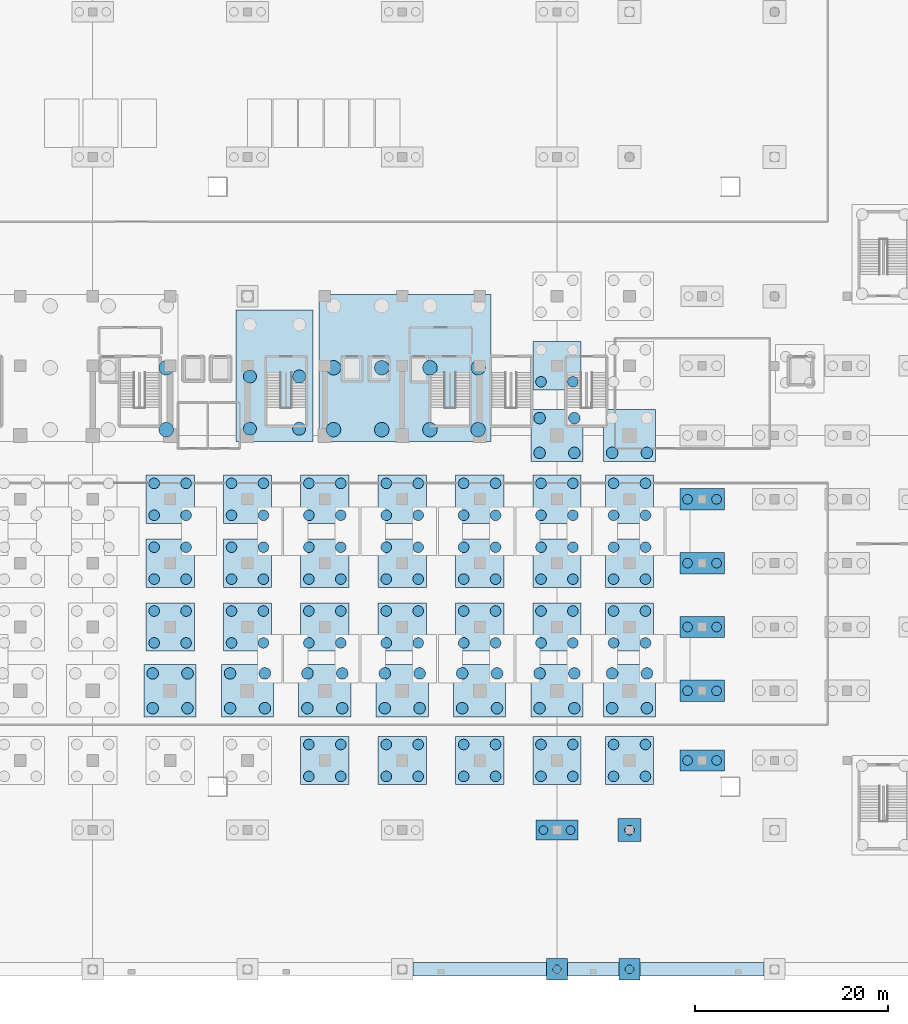
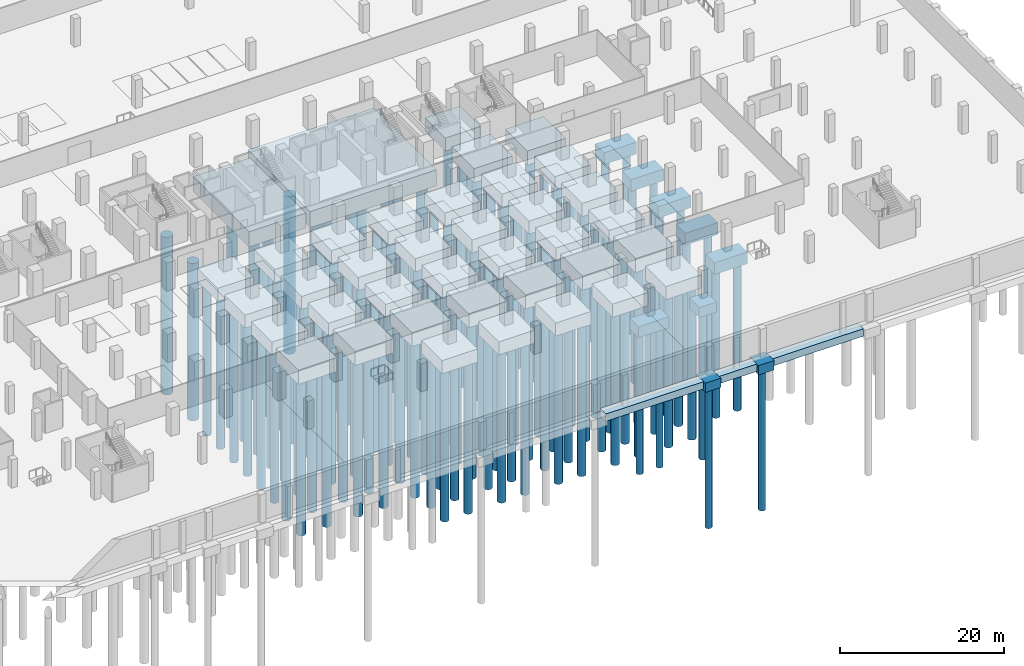
# One storey, part 2 of 26: 169 piles, 50 footings.
"""IFC4 building model written with IfcOpenShell, lengths in metres."""

from ifc_helpers import new_model, si_unit, direction, frame, origin, origin_2d, place, context, subcontext, project, spatial, rectangle, circle, extrude, material, material_profile, profile_set, type_object, element, save


model = new_model("IFC4")

# Units and contexts
model_context = context("Model", 3, precision=1e-05, world=origin(), true_north=direction((0.0, 1.0)))
body_context = subcontext(model_context, "Body", "Model", "MODEL_VIEW")
ifc_project = project(units=[si_unit("LENGTHUNIT", "METRE"), si_unit("AREAUNIT", "SQUARE_METRE"), si_unit("VOLUMEUNIT", "CUBIC_METRE"), si_unit("PLANEANGLEUNIT", "RADIAN"), si_unit("MASSUNIT", "GRAM", prefix="KILO")], contexts=[model_context])

# Site, building, storey
site_placement = place(None, origin())
site = spatial("IfcSite", under=ifc_project, at=site_placement, CompositionType="ELEMENT")
building_placement = place(site_placement, origin())
building = spatial("IfcBuilding", under=site, at=building_placement, Name="Akrevak Sports Hall", CompositionType="ELEMENT")
storey_placement = place(building_placement, frame((0.0, 0.0, -9.0)))
storey = spatial("IfcBuildingStorey", under=building, at=storey_placement, Name="B02", CompositionType="ELEMENT", Elevation=-9.0)

# Footings
ifc_material = material(Name="Concrete C40/50", Category="concrete")
footing_type_1 = type_object("IfcFootingType", Name="STR-PC-220x220x140", PredefinedType="PILE_CAP", material=ifc_material)
for number, where, z_axis, x_axis, name in (
    (1, (108.0, 0.0, -1.949951171875), (0.0, 0.0, 1.0), (1.0, 0.0, 0.0), "Pile Cap PC-06 at 15/A"),
    (2, (115.5, 0.0, -1.949951171875), (0.0, 0.0, 1.0), (1.0, 0.0, 0.0), "Pile Cap PC-06 at 16/A"),
):
    element("IfcFooting", number, at=place(storey_placement, frame(where, z_axis=z_axis, x_axis=x_axis)), inside=storey, type_object=footing_type_1, Name=name, PredefinedType="PILE_CAP", context=body_context, shape_type="SweptSolid", body=[
        extrude(rectangle(XDim=2.199951171875, YDim=2.199951171875, at=origin_2d()), origin(), (0.0, 0.0, 1.0), 1.39990234375),
    ])
footing_type_2 = type_object("IfcFootingType", Name="STR-PC-240x240x150", PredefinedType="PILE_CAP", material=ifc_material)
footing_1_placement = place(storey_placement, frame((115.5, 14.39990234375, -2.050048828125), z_axis=(0.0, 0.0, 1.0), x_axis=(1.0, 0.0, 0.0)))
element("IfcFooting", 3, at=footing_1_placement, inside=storey, type_object=footing_type_2, Name="Pile Cap PC-05 at 16/C", PredefinedType="PILE_CAP", context=body_context, shape_type="SweptSolid", body=[
    extrude(rectangle(XDim=2.39990234375, YDim=2.39990234375, at=origin_2d()), origin(), (0.0, 0.0, 1.0), 1.5),
])
footing_type_3 = type_object("IfcFootingType", Name="STR-PC-430x210x160", PredefinedType="PILE_CAP", material=ifc_material)
footing_2_placement = place(storey_placement, frame((108.0, 14.39990234375, -2.150146484375), z_axis=(0.0, 0.0, 1.0), x_axis=(1.0, 0.0, 0.0)))
element("IfcFooting", 4, at=footing_2_placement, inside=storey, type_object=footing_type_3, Name="Pile Cap PC-04 at 15/C", PredefinedType="PILE_CAP", context=body_context, shape_type="SweptSolid", body=[
    extrude(rectangle(XDim=4.300048828125, YDim=2.10009765625, at=origin_2d()), origin(), (0.0, 0.0, 1.0), 1.60009765625),
])
footing_type_4 = type_object("IfcFootingType", Name="STR-PC-460x220x175", PredefinedType="PILE_CAP", material=ifc_material)
for number, where, z_axis, x_axis, name in (
    (5, (123.0, 21.60009765625, -2.300048828125), (0.0, 0.0, 1.0), (1.0, 0.0, 0.0), "Pile Cap PC-03 at 17/D"),
    (6, (123.0, 28.800048828125, -2.300048828125), (0.0, 0.0, 1.0), (1.0, 0.0, 0.0), "Pile Cap PC-03 at 17/E"),
    (7, (123.0, 35.39990234375, -2.300048828125), (0.0, 0.0, 1.0), (1.0, 0.0, 0.0), "Pile Cap PC-03 at 17/F"),
    (8, (123.0, 42.0, -2.300048828125), (0.0, 0.0, 1.0), (1.0, 0.0, 0.0), "Pile Cap PC-03 at 17/G"),
    (9, (123.0, 48.60009765625, -2.300048828125), (0.0, 0.0, 1.0), (1.0, 0.0, 0.0), "Pile Cap PC-03 at 17/H"),
):
    element("IfcFooting", number, at=place(storey_placement, frame(where, z_axis=z_axis, x_axis=x_axis)), inside=storey, type_object=footing_type_4, Name=name, PredefinedType="PILE_CAP", context=body_context, shape_type="SweptSolid", body=[
        extrude(rectangle(XDim=4.60009765625, YDim=2.199951171875, at=origin_2d()), origin(), (0.0, 0.0, 1.0), 1.75),
    ])
footing_type_5 = type_object("IfcFootingType", Name="STR-PC-500x500x195", PredefinedType="PILE_CAP", material=ifc_material)
for number, where, z_axis, x_axis, name in (
    (10, (68.0, 35.39990234375, -2.5), (0.0, 0.0, 1.0), (1.0, 0.0, 0.0), "Pile Cap PC-02 at 10/F"),
    (11, (68.0, 42.0, -2.5), (0.0, 0.0, 1.0), (1.0, 0.0, 0.0), "Pile Cap PC-02 at 10/G"),
    (12, (68.0, 48.60009765625, -2.5), (0.0, 0.0, 1.0), (1.0, 0.0, 0.0), "Pile Cap PC-02 at 10/H"),
    (13, (76.0, 35.39990234375, -2.5), (0.0, 0.0, 1.0), (1.0, 0.0, 0.0), "Pile Cap PC-02 at 11/F"),
    (14, (76.0, 42.0, -2.5), (0.0, 0.0, 1.0), (1.0, 0.0, 0.0), "Pile Cap PC-02 at 11/G"),
    (15, (76.0, 48.60009765625, -2.5), (0.0, 0.0, 1.0), (1.0, 0.0, 0.0), "Pile Cap PC-02 at 11/H"),
    (16, (84.0, 21.60009765625, -2.5), (0.0, 0.0, 1.0), (1.0, 0.0, 0.0), "Pile Cap PC-02 at 12/D"),
    (17, (84.0, 35.39990234375, -2.5), (0.0, 0.0, 1.0), (1.0, 0.0, 0.0), "Pile Cap PC-02 at 12/F"),
    (18, (84.0, 42.0, -2.5), (0.0, 0.0, 1.0), (1.0, 0.0, 0.0), "Pile Cap PC-02 at 12/G"),
    (19, (84.0, 48.60009765625, -2.5), (0.0, 0.0, 1.0), (1.0, 0.0, 0.0), "Pile Cap PC-02 at 12/H"),
    (20, (92.0, 21.60009765625, -2.5), (0.0, 0.0, 1.0), (1.0, 0.0, 0.0), "Pile Cap PC-02 at 13/D"),
    (21, (92.0, 35.39990234375, -2.5), (0.0, 0.0, 1.0), (1.0, 0.0, 0.0), "Pile Cap PC-02 at 13/F"),
    (22, (92.0, 42.0, -2.5), (0.0, 0.0, 1.0), (1.0, 0.0, 0.0), "Pile Cap PC-02 at 13/G"),
    (23, (92.0, 48.60009765625, -2.5), (0.0, 0.0, 1.0), (1.0, 0.0, 0.0), "Pile Cap PC-02 at 13/H"),
    (24, (100.0, 21.60009765625, -2.5), (0.0, 0.0, 1.0), (1.0, 0.0, 0.0), "Pile Cap PC-02 at 14/D"),
    (25, (100.0, 35.39990234375, -2.5), (0.0, 0.0, 1.0), (1.0, 0.0, 0.0), "Pile Cap PC-02 at 14/F"),
    (26, (100.0, 42.0, -2.5), (0.0, 0.0, 1.0), (1.0, 0.0, 0.0), "Pile Cap PC-02 at 14/G"),
    (27, (100.0, 48.60009765625, -2.5), (0.0, 0.0, 1.0), (1.0, 0.0, 0.0), "Pile Cap PC-02 at 14/H"),
    (28, (108.0, 21.60009765625, -2.5), (0.0, 0.0, 1.0), (1.0, 0.0, 0.0), "Pile Cap PC-02 at 15/D"),
    (29, (108.0, 35.39990234375, -2.5), (0.0, 0.0, 1.0), (1.0, 0.0, 0.0), "Pile Cap PC-02 at 15/F"),
    (30, (108.0, 42.0, -2.5), (0.0, 0.0, 1.0), (1.0, 0.0, 0.0), "Pile Cap PC-02 at 15/G"),
    (31, (108.0, 48.60009765625, -2.5), (0.0, 0.0, 1.0), (1.0, 0.0, 0.0), "Pile Cap PC-02 at 15/H"),
    (32, (108.0, 62.39990234375, -2.5), (0.0, 0.0, 1.0), (1.0, 0.0, 0.0), "Pile Cap PC-02 at 15/J"),
    (33, (115.5, 21.60009765625, -2.5), (0.0, 0.0, 1.0), (1.0, 0.0, 0.0), "Pile Cap PC-02 at 16/D"),
    (34, (115.5, 35.39990234375, -2.5), (0.0, 0.0, 1.0), (1.0, 0.0, 0.0), "Pile Cap PC-02 at 16/F"),
    (35, (115.5, 42.0, -2.5), (0.0, 0.0, 1.0), (1.0, 0.0, 0.0), "Pile Cap PC-02 at 16/G"),
    (36, (115.5, 48.60009765625, -2.5), (0.0, 0.0, 1.0), (1.0, 0.0, 0.0), "Pile Cap PC-02 at 16/H"),
):
    element("IfcFooting", number, at=place(storey_placement, frame(where, z_axis=z_axis, x_axis=x_axis)), inside=storey, type_object=footing_type_5, Name=name, PredefinedType="PILE_CAP", context=body_context, shape_type="SweptSolid", body=[
        extrude(rectangle(XDim=5.0, YDim=5.0, at=origin_2d()), origin(), (0.0, 0.0, 1.0), 1.949951171875),
    ])
footing_type_6 = type_object("IfcFootingType", Name="STR-PC-540x540x210", PredefinedType="PILE_CAP", material=ifc_material)
for number, where, z_axis, x_axis, name in (
    (37, (68.0, 28.800048828125, -2.650146484375), (0.0, 0.0, 1.0), (1.0, 0.0, 0.0), "Pile Cap PC-01 at 10/E"),
    (38, (76.0, 28.800048828125, -2.650146484375), (0.0, 0.0, 1.0), (1.0, 0.0, 0.0), "Pile Cap PC-01 at 11/E"),
    (39, (84.0, 28.800048828125, -2.650146484375), (0.0, 0.0, 1.0), (1.0, 0.0, 0.0), "Pile Cap PC-01 at 12/E"),
    (40, (92.0, 28.800048828125, -2.650146484375), (0.0, 0.0, 1.0), (1.0, 0.0, 0.0), "Pile Cap PC-01 at 13/E"),
    (41, (100.0, 28.800048828125, -2.650146484375), (0.0, 0.0, 1.0), (1.0, 0.0, 0.0), "Pile Cap PC-01 at 14/E"),
    (42, (108.0, 28.800048828125, -2.650146484375), (0.0, 0.0, 1.0), (1.0, 0.0, 0.0), "Pile Cap PC-01 at 15/E"),
    (43, (108.0, 55.199951171875, -2.650146484375), (0.0, 0.0, 1.0), (1.0, 0.0, 0.0), "Pile Cap PC-01 at 15/I"),
    (44, (115.5, 28.800048828125, -2.650146484375), (0.0, 0.0, 1.0), (1.0, 0.0, 0.0), "Pile Cap PC-01 at 16/E"),
    (45, (115.5, 55.199951171875, -2.650146484375), (0.0, 0.0, 1.0), (1.0, 0.0, 0.0), "Pile Cap PC-01 at 16/I"),
):
    element("IfcFooting", number, at=place(storey_placement, frame(where, z_axis=z_axis, x_axis=x_axis)), inside=storey, type_object=footing_type_6, Name=name, PredefinedType="PILE_CAP", context=body_context, shape_type="SweptSolid", body=[
        extrude(rectangle(XDim=5.39990234375, YDim=5.39990234375, at=origin_2d()), origin(), (0.0, 0.0, 1.0), 2.10009765625),
    ])
footing_type_7 = type_object("IfcFootingType", Name="STR-PC-MAT-E", PredefinedType="PILE_CAP", material=ifc_material)
footing_3_placement = place(storey_placement, frame((92.300048828125, 62.199951171875, -2.949951171875), z_axis=(0.0, 0.0, 1.0), x_axis=(1.0, 0.0, 0.0)))
element("IfcFooting", 46, at=footing_3_placement, inside=storey, type_object=footing_type_7, Name="Combined Pile Cap PC-M2", PredefinedType="PILE_CAP", context=body_context, shape_type="SweptSolid", body=[
    extrude(rectangle(XDim=17.800048828125, YDim=15.199951171875, at=origin_2d()), origin(), (0.0, 0.0, 1.0), 2.39990234375),
])
footing_type_8 = type_object("IfcFootingType", Name="STR-PC-MAT-N", PredefinedType="PILE_CAP", material=ifc_material)
footing_4_placement = place(storey_placement, frame((78.800048828125, 61.39990234375, -2.800048828125), z_axis=(0.0, 0.0, 1.0), x_axis=(1.0, 0.0, 0.0)))
element("IfcFooting", 47, at=footing_4_placement, inside=storey, type_object=footing_type_8, Name="Combined Pile Cap PC-M3", PredefinedType="PILE_CAP", context=body_context, shape_type="SweptSolid", body=[
    extrude(rectangle(XDim=8.0, YDim=13.60009765625, at=origin_2d()), origin(), (0.0, 0.0, 1.0), 2.25),
])

# Piles
ifc_material_profile_1 = material_profile(ifc_material, circle(Radius=0.5, at=origin_2d()), Name="BORED PILE D1000", Category="concrete")
ifc_profile_set_1 = profile_set([ifc_material_profile_1], Name="Concrete C40/50")
pile_type_1 = type_object("IfcPileType", Name="STR-PILE-D1000", PredefinedType="BORED", material=ifc_profile_set_1)
for number, where, z_axis, x_axis, name in (
    (48, (115.5, 14.39990234375, -2.050048828125), (0.0, 0.0, -1.0), (1.0, 0.0, 0.0), "Bored Pile 16/C-1"),
    (49, (121.5, 21.60009765625, -2.300048828125), (0.0, 0.0, -1.0), (1.0, 0.0, 0.0), "Bored Pile 17/D-1"),
    (50, (124.5, 21.60009765625, -2.300048828125), (0.0, 0.0, -1.0), (1.0, 0.0, 0.0), "Bored Pile 17/D-2"),
    (51, (121.5, 28.800048828125, -2.300048828125), (0.0, 0.0, -1.0), (1.0, 0.0, 0.0), "Bored Pile 17/E-1"),
    (52, (124.5, 28.800048828125, -2.300048828125), (0.0, 0.0, -1.0), (1.0, 0.0, 0.0), "Bored Pile 17/E-2"),
    (53, (121.5, 35.39990234375, -2.300048828125), (0.0, 0.0, -1.0), (1.0, 0.0, 0.0), "Bored Pile 17/F-1"),
    (54, (124.5, 35.39990234375, -2.300048828125), (0.0, 0.0, -1.0), (1.0, 0.0, 0.0), "Bored Pile 17/F-2"),
    (55, (121.5, 42.0, -2.300048828125), (0.0, 0.0, -1.0), (1.0, 0.0, 0.0), "Bored Pile 17/G-1"),
    (56, (124.5, 42.0, -2.300048828125), (0.0, 0.0, -1.0), (1.0, 0.0, 0.0), "Bored Pile 17/G-2"),
    (57, (121.5, 48.60009765625, -2.300048828125), (0.0, 0.0, -1.0), (1.0, 0.0, 0.0), "Bored Pile 17/H-1"),
    (58, (124.5, 48.60009765625, -2.300048828125), (0.0, 0.0, -1.0), (1.0, 0.0, 0.0), "Bored Pile 17/H-2"),
):
    element("IfcPile", number, at=place(storey_placement, frame(where, z_axis=z_axis, x_axis=x_axis)), inside=storey, type_object=pile_type_1, Name=name, PredefinedType="BORED", context=body_context, shape_type="SweptSolid", body=[
        extrude(circle(Radius=0.5, at=origin_2d()), origin(), (0.0, 0.0, 1.0), 22.0),
    ])
ifc_material_profile_2 = material_profile(ifc_material, circle(Radius=0.550048828125, at=origin_2d()), Name="BORED PILE D1100", Category="concrete")
ifc_profile_set_2 = profile_set([ifc_material_profile_2], Name="Concrete C40/50")
pile_type_2 = type_object("IfcPileType", Name="STR-PILE-D1100", PredefinedType="BORED", material=ifc_profile_set_2)
for number, where, z_axis, x_axis, name in (
    (59, (66.35009765625, 33.75, -2.5), (0.0, 0.0, -1.0), (1.0, 0.0, 0.0), "Bored Pile 10/F-1"),
    (60, (69.64990234375, 33.75, -2.5), (0.0, 0.0, -1.0), (1.0, 0.0, 0.0), "Bored Pile 10/F-2"),
    (61, (66.35009765625, 37.050048828125, -2.5), (0.0, 0.0, -1.0), (1.0, 0.0, 0.0), "Bored Pile 10/F-3"),
    (62, (69.64990234375, 37.050048828125, -2.5), (0.0, 0.0, -1.0), (1.0, 0.0, 0.0), "Bored Pile 10/F-4"),
    (63, (66.35009765625, 40.35009765625, -2.5), (0.0, 0.0, -1.0), (1.0, 0.0, 0.0), "Bored Pile 10/G-1"),
    (64, (69.64990234375, 40.35009765625, -2.5), (0.0, 0.0, -1.0), (1.0, 0.0, 0.0), "Bored Pile 10/G-2"),
    (65, (66.35009765625, 43.64990234375, -2.5), (0.0, 0.0, -1.0), (1.0, 0.0, 0.0), "Bored Pile 10/G-3"),
    (66, (69.64990234375, 43.64990234375, -2.5), (0.0, 0.0, -1.0), (1.0, 0.0, 0.0), "Bored Pile 10/G-4"),
    (67, (66.35009765625, 46.949951171875, -2.5), (0.0, 0.0, -1.0), (1.0, 0.0, 0.0), "Bored Pile 10/H-1"),
    (68, (69.64990234375, 46.949951171875, -2.5), (0.0, 0.0, -1.0), (1.0, 0.0, 0.0), "Bored Pile 10/H-2"),
    (69, (66.35009765625, 50.25, -2.5), (0.0, 0.0, -1.0), (1.0, 0.0, 0.0), "Bored Pile 10/H-3"),
    (70, (69.64990234375, 50.25, -2.5), (0.0, 0.0, -1.0), (1.0, 0.0, 0.0), "Bored Pile 10/H-4"),
    (71, (74.35009765625, 33.75, -2.5), (0.0, 0.0, -1.0), (1.0, 0.0, 0.0), "Bored Pile 11/F-1"),
    (72, (77.64990234375, 33.75, -2.5), (0.0, 0.0, -1.0), (1.0, 0.0, 0.0), "Bored Pile 11/F-2"),
    (73, (74.35009765625, 37.050048828125, -2.5), (0.0, 0.0, -1.0), (1.0, 0.0, 0.0), "Bored Pile 11/F-3"),
    (74, (77.64990234375, 37.050048828125, -2.5), (0.0, 0.0, -1.0), (1.0, 0.0, 0.0), "Bored Pile 11/F-4"),
    (75, (74.35009765625, 40.35009765625, -2.5), (0.0, 0.0, -1.0), (1.0, 0.0, 0.0), "Bored Pile 11/G-1"),
    (76, (77.64990234375, 40.35009765625, -2.5), (0.0, 0.0, -1.0), (1.0, 0.0, 0.0), "Bored Pile 11/G-2"),
    (77, (74.35009765625, 43.64990234375, -2.5), (0.0, 0.0, -1.0), (1.0, 0.0, 0.0), "Bored Pile 11/G-3"),
    (78, (77.64990234375, 43.64990234375, -2.5), (0.0, 0.0, -1.0), (1.0, 0.0, 0.0), "Bored Pile 11/G-4"),
    (79, (74.35009765625, 46.949951171875, -2.5), (0.0, 0.0, -1.0), (1.0, 0.0, 0.0), "Bored Pile 11/H-1"),
    (80, (77.64990234375, 46.949951171875, -2.5), (0.0, 0.0, -1.0), (1.0, 0.0, 0.0), "Bored Pile 11/H-2"),
    (81, (74.35009765625, 50.25, -2.5), (0.0, 0.0, -1.0), (1.0, 0.0, 0.0), "Bored Pile 11/H-3"),
    (82, (77.64990234375, 50.25, -2.5), (0.0, 0.0, -1.0), (1.0, 0.0, 0.0), "Bored Pile 11/H-4"),
    (83, (82.35009765625, 19.949951171875, -2.5), (0.0, 0.0, -1.0), (1.0, 0.0, 0.0), "Bored Pile 12/D-1"),
    (84, (85.64990234375, 19.949951171875, -2.5), (0.0, 0.0, -1.0), (1.0, 0.0, 0.0), "Bored Pile 12/D-2"),
    (85, (82.35009765625, 23.25, -2.5), (0.0, 0.0, -1.0), (1.0, 0.0, 0.0), "Bored Pile 12/D-3"),
    (86, (85.64990234375, 23.25, -2.5), (0.0, 0.0, -1.0), (1.0, 0.0, 0.0), "Bored Pile 12/D-4"),
    (87, (82.35009765625, 33.75, -2.5), (0.0, 0.0, -1.0), (1.0, 0.0, 0.0), "Bored Pile 12/F-1"),
    (88, (85.64990234375, 33.75, -2.5), (0.0, 0.0, -1.0), (1.0, 0.0, 0.0), "Bored Pile 12/F-2"),
    (89, (82.35009765625, 37.050048828125, -2.5), (0.0, 0.0, -1.0), (1.0, 0.0, 0.0), "Bored Pile 12/F-3"),
    (90, (85.64990234375, 37.050048828125, -2.5), (0.0, 0.0, -1.0), (1.0, 0.0, 0.0), "Bored Pile 12/F-4"),
    (91, (82.35009765625, 40.35009765625, -2.5), (0.0, 0.0, -1.0), (1.0, 0.0, 0.0), "Bored Pile 12/G-1"),
    (92, (85.64990234375, 40.35009765625, -2.5), (0.0, 0.0, -1.0), (1.0, 0.0, 0.0), "Bored Pile 12/G-2"),
    (93, (82.35009765625, 43.64990234375, -2.5), (0.0, 0.0, -1.0), (1.0, 0.0, 0.0), "Bored Pile 12/G-3"),
    (94, (85.64990234375, 43.64990234375, -2.5), (0.0, 0.0, -1.0), (1.0, 0.0, 0.0), "Bored Pile 12/G-4"),
    (95, (82.35009765625, 46.949951171875, -2.5), (0.0, 0.0, -1.0), (1.0, 0.0, 0.0), "Bored Pile 12/H-1"),
    (96, (85.64990234375, 46.949951171875, -2.5), (0.0, 0.0, -1.0), (1.0, 0.0, 0.0), "Bored Pile 12/H-2"),
    (97, (82.35009765625, 50.25, -2.5), (0.0, 0.0, -1.0), (1.0, 0.0, 0.0), "Bored Pile 12/H-3"),
    (98, (85.64990234375, 50.25, -2.5), (0.0, 0.0, -1.0), (1.0, 0.0, 0.0), "Bored Pile 12/H-4"),
    (99, (90.35009765625, 19.949951171875, -2.5), (0.0, 0.0, -1.0), (1.0, 0.0, 0.0), "Bored Pile 13/D-1"),
    (100, (93.64990234375, 19.949951171875, -2.5), (0.0, 0.0, -1.0), (1.0, 0.0, 0.0), "Bored Pile 13/D-2"),
    (101, (90.35009765625, 23.25, -2.5), (0.0, 0.0, -1.0), (1.0, 0.0, 0.0), "Bored Pile 13/D-3"),
    (102, (93.64990234375, 23.25, -2.5), (0.0, 0.0, -1.0), (1.0, 0.0, 0.0), "Bored Pile 13/D-4"),
    (103, (90.35009765625, 33.75, -2.5), (0.0, 0.0, -1.0), (1.0, 0.0, 0.0), "Bored Pile 13/F-1"),
    (104, (93.64990234375, 33.75, -2.5), (0.0, 0.0, -1.0), (1.0, 0.0, 0.0), "Bored Pile 13/F-2"),
    (105, (90.35009765625, 37.050048828125, -2.5), (0.0, 0.0, -1.0), (1.0, 0.0, 0.0), "Bored Pile 13/F-3"),
    (106, (93.64990234375, 37.050048828125, -2.5), (0.0, 0.0, -1.0), (1.0, 0.0, 0.0), "Bored Pile 13/F-4"),
    (107, (90.35009765625, 40.35009765625, -2.5), (0.0, 0.0, -1.0), (1.0, 0.0, 0.0), "Bored Pile 13/G-1"),
    (108, (93.64990234375, 40.35009765625, -2.5), (0.0, 0.0, -1.0), (1.0, 0.0, 0.0), "Bored Pile 13/G-2"),
    (109, (90.35009765625, 43.64990234375, -2.5), (0.0, 0.0, -1.0), (1.0, 0.0, 0.0), "Bored Pile 13/G-3"),
    (110, (93.64990234375, 43.64990234375, -2.5), (0.0, 0.0, -1.0), (1.0, 0.0, 0.0), "Bored Pile 13/G-4"),
    (111, (90.35009765625, 46.949951171875, -2.5), (0.0, 0.0, -1.0), (1.0, 0.0, 0.0), "Bored Pile 13/H-1"),
    (112, (93.64990234375, 46.949951171875, -2.5), (0.0, 0.0, -1.0), (1.0, 0.0, 0.0), "Bored Pile 13/H-2"),
    (113, (90.35009765625, 50.25, -2.5), (0.0, 0.0, -1.0), (1.0, 0.0, 0.0), "Bored Pile 13/H-3"),
    (114, (93.64990234375, 50.25, -2.5), (0.0, 0.0, -1.0), (1.0, 0.0, 0.0), "Bored Pile 13/H-4"),
    (115, (98.35009765625, 19.949951171875, -2.5), (0.0, 0.0, -1.0), (1.0, 0.0, 0.0), "Bored Pile 14/D-1"),
    (116, (101.64990234375, 19.949951171875, -2.5), (0.0, 0.0, -1.0), (1.0, 0.0, 0.0), "Bored Pile 14/D-2"),
    (117, (98.35009765625, 23.25, -2.5), (0.0, 0.0, -1.0), (1.0, 0.0, 0.0), "Bored Pile 14/D-3"),
    (118, (101.64990234375, 23.25, -2.5), (0.0, 0.0, -1.0), (1.0, 0.0, 0.0), "Bored Pile 14/D-4"),
    (119, (98.35009765625, 33.75, -2.5), (0.0, 0.0, -1.0), (1.0, 0.0, 0.0), "Bored Pile 14/F-1"),
    (120, (101.64990234375, 33.75, -2.5), (0.0, 0.0, -1.0), (1.0, 0.0, 0.0), "Bored Pile 14/F-2"),
    (121, (98.35009765625, 37.050048828125, -2.5), (0.0, 0.0, -1.0), (1.0, 0.0, 0.0), "Bored Pile 14/F-3"),
    (122, (101.64990234375, 37.050048828125, -2.5), (0.0, 0.0, -1.0), (1.0, 0.0, 0.0), "Bored Pile 14/F-4"),
    (123, (98.35009765625, 40.35009765625, -2.5), (0.0, 0.0, -1.0), (1.0, 0.0, 0.0), "Bored Pile 14/G-1"),
    (124, (101.64990234375, 40.35009765625, -2.5), (0.0, 0.0, -1.0), (1.0, 0.0, 0.0), "Bored Pile 14/G-2"),
    (125, (98.35009765625, 43.64990234375, -2.5), (0.0, 0.0, -1.0), (1.0, 0.0, 0.0), "Bored Pile 14/G-3"),
    (126, (101.64990234375, 43.64990234375, -2.5), (0.0, 0.0, -1.0), (1.0, 0.0, 0.0), "Bored Pile 14/G-4"),
    (127, (98.35009765625, 46.949951171875, -2.5), (0.0, 0.0, -1.0), (1.0, 0.0, 0.0), "Bored Pile 14/H-1"),
    (128, (101.64990234375, 46.949951171875, -2.5), (0.0, 0.0, -1.0), (1.0, 0.0, 0.0), "Bored Pile 14/H-2"),
    (129, (98.35009765625, 50.25, -2.5), (0.0, 0.0, -1.0), (1.0, 0.0, 0.0), "Bored Pile 14/H-3"),
    (130, (101.64990234375, 50.25, -2.5), (0.0, 0.0, -1.0), (1.0, 0.0, 0.0), "Bored Pile 14/H-4"),
    (131, (106.35009765625, 19.949951171875, -2.5), (0.0, 0.0, -1.0), (1.0, 0.0, 0.0), "Bored Pile 15/D-1"),
    (132, (109.64990234375, 19.949951171875, -2.5), (0.0, 0.0, -1.0), (1.0, 0.0, 0.0), "Bored Pile 15/D-2"),
    (133, (106.35009765625, 23.25, -2.5), (0.0, 0.0, -1.0), (1.0, 0.0, 0.0), "Bored Pile 15/D-3"),
    (134, (109.64990234375, 23.25, -2.5), (0.0, 0.0, -1.0), (1.0, 0.0, 0.0), "Bored Pile 15/D-4"),
    (135, (106.35009765625, 33.75, -2.5), (0.0, 0.0, -1.0), (1.0, 0.0, 0.0), "Bored Pile 15/F-1"),
    (136, (109.64990234375, 33.75, -2.5), (0.0, 0.0, -1.0), (1.0, 0.0, 0.0), "Bored Pile 15/F-2"),
    (137, (106.35009765625, 37.050048828125, -2.5), (0.0, 0.0, -1.0), (1.0, 0.0, 0.0), "Bored Pile 15/F-3"),
    (138, (109.64990234375, 37.050048828125, -2.5), (0.0, 0.0, -1.0), (1.0, 0.0, 0.0), "Bored Pile 15/F-4"),
    (139, (106.35009765625, 40.35009765625, -2.5), (0.0, 0.0, -1.0), (1.0, 0.0, 0.0), "Bored Pile 15/G-1"),
    (140, (109.64990234375, 40.35009765625, -2.5), (0.0, 0.0, -1.0), (1.0, 0.0, 0.0), "Bored Pile 15/G-2"),
    (141, (106.35009765625, 43.64990234375, -2.5), (0.0, 0.0, -1.0), (1.0, 0.0, 0.0), "Bored Pile 15/G-3"),
    (142, (109.64990234375, 43.64990234375, -2.5), (0.0, 0.0, -1.0), (1.0, 0.0, 0.0), "Bored Pile 15/G-4"),
    (143, (106.35009765625, 46.949951171875, -2.5), (0.0, 0.0, -1.0), (1.0, 0.0, 0.0), "Bored Pile 15/H-1"),
    (144, (109.64990234375, 46.949951171875, -2.5), (0.0, 0.0, -1.0), (1.0, 0.0, 0.0), "Bored Pile 15/H-2"),
    (145, (106.35009765625, 50.25, -2.5), (0.0, 0.0, -1.0), (1.0, 0.0, 0.0), "Bored Pile 15/H-3"),
    (146, (109.64990234375, 50.25, -2.5), (0.0, 0.0, -1.0), (1.0, 0.0, 0.0), "Bored Pile 15/H-4"),
    (147, (106.35009765625, 60.75, -2.5), (0.0, 0.0, -1.0), (1.0, 0.0, 0.0), "Bored Pile 15/J-1"),
    (148, (109.64990234375, 60.75, -2.5), (0.0, 0.0, -1.0), (1.0, 0.0, 0.0), "Bored Pile 15/J-2"),
    (149, (113.85009765625, 19.949951171875, -2.5), (0.0, 0.0, -1.0), (1.0, 0.0, 0.0), "Bored Pile 16/D-1"),
    (150, (117.14990234375, 19.949951171875, -2.5), (0.0, 0.0, -1.0), (1.0, 0.0, 0.0), "Bored Pile 16/D-2"),
    (151, (113.85009765625, 23.25, -2.5), (0.0, 0.0, -1.0), (1.0, 0.0, 0.0), "Bored Pile 16/D-3"),
    (152, (117.14990234375, 23.25, -2.5), (0.0, 0.0, -1.0), (1.0, 0.0, 0.0), "Bored Pile 16/D-4"),
    (153, (113.85009765625, 33.75, -2.5), (0.0, 0.0, -1.0), (1.0, 0.0, 0.0), "Bored Pile 16/F-1"),
    (154, (117.14990234375, 33.75, -2.5), (0.0, 0.0, -1.0), (1.0, 0.0, 0.0), "Bored Pile 16/F-2"),
    (155, (113.85009765625, 37.050048828125, -2.5), (0.0, 0.0, -1.0), (1.0, 0.0, 0.0), "Bored Pile 16/F-3"),
    (156, (117.14990234375, 37.050048828125, -2.5), (0.0, 0.0, -1.0), (1.0, 0.0, 0.0), "Bored Pile 16/F-4"),
    (157, (113.85009765625, 40.35009765625, -2.5), (0.0, 0.0, -1.0), (1.0, 0.0, 0.0), "Bored Pile 16/G-1"),
    (158, (117.14990234375, 40.35009765625, -2.5), (0.0, 0.0, -1.0), (1.0, 0.0, 0.0), "Bored Pile 16/G-2"),
    (159, (113.85009765625, 43.64990234375, -2.5), (0.0, 0.0, -1.0), (1.0, 0.0, 0.0), "Bored Pile 16/G-3"),
    (160, (117.14990234375, 43.64990234375, -2.5), (0.0, 0.0, -1.0), (1.0, 0.0, 0.0), "Bored Pile 16/G-4"),
    (161, (113.85009765625, 46.949951171875, -2.5), (0.0, 0.0, -1.0), (1.0, 0.0, 0.0), "Bored Pile 16/H-1"),
    (162, (117.14990234375, 46.949951171875, -2.5), (0.0, 0.0, -1.0), (1.0, 0.0, 0.0), "Bored Pile 16/H-2"),
    (163, (113.85009765625, 50.25, -2.5), (0.0, 0.0, -1.0), (1.0, 0.0, 0.0), "Bored Pile 16/H-3"),
    (164, (117.14990234375, 50.25, -2.5), (0.0, 0.0, -1.0), (1.0, 0.0, 0.0), "Bored Pile 16/H-4"),
):
    element("IfcPile", number, at=place(storey_placement, frame(where, z_axis=z_axis, x_axis=x_axis)), inside=storey, type_object=pile_type_2, Name=name, PredefinedType="BORED", context=body_context, shape_type="SweptSolid", body=[
        extrude(circle(Radius=0.550048828125, at=origin_2d()), origin(), (0.0, 0.0, 1.0), 22.5),
    ])
ifc_material_profile_3 = material_profile(ifc_material, circle(Radius=0.60009765625, at=origin_2d()), Name="BORED PILE D1200", Category="concrete")
ifc_profile_set_3 = profile_set([ifc_material_profile_3], Name="Concrete C40/50")
pile_type_3 = type_object("IfcPileType", Name="STR-PILE-D1200", PredefinedType="BORED", material=ifc_profile_set_3)
for number, where, z_axis, x_axis, name in (
    (165, (66.199951171875, 27.0, -2.64990234375), (0.0, 0.0, -1.0), (1.0, 0.0, 0.0), "Bored Pile 10/E-1"),
    (166, (69.800048828125, 27.0, -2.64990234375), (0.0, 0.0, -1.0), (1.0, 0.0, 0.0), "Bored Pile 10/E-2"),
    (167, (66.199951171875, 30.60009765625, -2.64990234375), (0.0, 0.0, -1.0), (1.0, 0.0, 0.0), "Bored Pile 10/E-3"),
    (168, (69.800048828125, 30.60009765625, -2.64990234375), (0.0, 0.0, -1.0), (1.0, 0.0, 0.0), "Bored Pile 10/E-4"),
    (169, (74.199951171875, 27.0, -2.64990234375), (0.0, 0.0, -1.0), (1.0, 0.0, 0.0), "Bored Pile 11/E-1"),
    (170, (77.800048828125, 27.0, -2.64990234375), (0.0, 0.0, -1.0), (1.0, 0.0, 0.0), "Bored Pile 11/E-2"),
    (171, (74.199951171875, 30.60009765625, -2.64990234375), (0.0, 0.0, -1.0), (1.0, 0.0, 0.0), "Bored Pile 11/E-3"),
    (172, (77.800048828125, 30.60009765625, -2.64990234375), (0.0, 0.0, -1.0), (1.0, 0.0, 0.0), "Bored Pile 11/E-4"),
    (173, (82.199951171875, 27.0, -2.64990234375), (0.0, 0.0, -1.0), (1.0, 0.0, 0.0), "Bored Pile 12/E-1"),
    (174, (85.800048828125, 27.0, -2.64990234375), (0.0, 0.0, -1.0), (1.0, 0.0, 0.0), "Bored Pile 12/E-2"),
    (175, (82.199951171875, 30.60009765625, -2.64990234375), (0.0, 0.0, -1.0), (1.0, 0.0, 0.0), "Bored Pile 12/E-3"),
    (176, (85.800048828125, 30.60009765625, -2.64990234375), (0.0, 0.0, -1.0), (1.0, 0.0, 0.0), "Bored Pile 12/E-4"),
    (177, (90.199951171875, 27.0, -2.64990234375), (0.0, 0.0, -1.0), (1.0, 0.0, 0.0), "Bored Pile 13/E-1"),
    (178, (93.800048828125, 27.0, -2.64990234375), (0.0, 0.0, -1.0), (1.0, 0.0, 0.0), "Bored Pile 13/E-2"),
    (179, (90.199951171875, 30.60009765625, -2.64990234375), (0.0, 0.0, -1.0), (1.0, 0.0, 0.0), "Bored Pile 13/E-3"),
    (180, (93.800048828125, 30.60009765625, -2.64990234375), (0.0, 0.0, -1.0), (1.0, 0.0, 0.0), "Bored Pile 13/E-4"),
    (181, (98.199951171875, 27.0, -2.64990234375), (0.0, 0.0, -1.0), (1.0, 0.0, 0.0), "Bored Pile 14/E-1"),
    (182, (101.800048828125, 27.0, -2.64990234375), (0.0, 0.0, -1.0), (1.0, 0.0, 0.0), "Bored Pile 14/E-2"),
    (183, (98.199951171875, 30.60009765625, -2.64990234375), (0.0, 0.0, -1.0), (1.0, 0.0, 0.0), "Bored Pile 14/E-3"),
    (184, (101.800048828125, 30.60009765625, -2.64990234375), (0.0, 0.0, -1.0), (1.0, 0.0, 0.0), "Bored Pile 14/E-4"),
    (185, (106.199951171875, 27.0, -2.64990234375), (0.0, 0.0, -1.0), (1.0, 0.0, 0.0), "Bored Pile 15/E-1"),
    (186, (109.800048828125, 27.0, -2.64990234375), (0.0, 0.0, -1.0), (1.0, 0.0, 0.0), "Bored Pile 15/E-2"),
    (187, (106.199951171875, 30.60009765625, -2.64990234375), (0.0, 0.0, -1.0), (1.0, 0.0, 0.0), "Bored Pile 15/E-3"),
    (188, (109.800048828125, 30.60009765625, -2.64990234375), (0.0, 0.0, -1.0), (1.0, 0.0, 0.0), "Bored Pile 15/E-4"),
    (189, (106.199951171875, 53.39990234375, -2.64990234375), (0.0, 0.0, -1.0), (1.0, 0.0, 0.0), "Bored Pile 15/I-1"),
    (190, (109.800048828125, 53.39990234375, -2.64990234375), (0.0, 0.0, -1.0), (1.0, 0.0, 0.0), "Bored Pile 15/I-2"),
    (191, (106.199951171875, 57.0, -2.64990234375), (0.0, 0.0, -1.0), (1.0, 0.0, 0.0), "Bored Pile 15/I-3"),
    (192, (109.800048828125, 57.0, -2.64990234375), (0.0, 0.0, -1.0), (1.0, 0.0, 0.0), "Bored Pile 15/I-4"),
    (193, (113.699951171875, 27.0, -2.64990234375), (0.0, 0.0, -1.0), (1.0, 0.0, 0.0), "Bored Pile 16/E-1"),
    (194, (117.300048828125, 27.0, -2.64990234375), (0.0, 0.0, -1.0), (1.0, 0.0, 0.0), "Bored Pile 16/E-2"),
    (195, (113.699951171875, 30.60009765625, -2.64990234375), (0.0, 0.0, -1.0), (1.0, 0.0, 0.0), "Bored Pile 16/E-3"),
    (196, (117.300048828125, 30.60009765625, -2.64990234375), (0.0, 0.0, -1.0), (1.0, 0.0, 0.0), "Bored Pile 16/E-4"),
    (197, (113.699951171875, 53.39990234375, -2.64990234375), (0.0, 0.0, -1.0), (1.0, 0.0, 0.0), "Bored Pile 16/I-1"),
    (198, (117.300048828125, 53.39990234375, -2.64990234375), (0.0, 0.0, -1.0), (1.0, 0.0, 0.0), "Bored Pile 16/I-2"),
):
    element("IfcPile", number, at=place(storey_placement, frame(where, z_axis=z_axis, x_axis=x_axis)), inside=storey, type_object=pile_type_3, Name=name, PredefinedType="BORED", context=body_context, shape_type="SweptSolid", body=[
        extrude(circle(Radius=0.60009765625, at=origin_2d()), origin(), (0.0, 0.0, 1.0), 23.0),
    ])
ifc_material_profile_4 = material_profile(ifc_material, circle(Radius=0.675048828125, at=origin_2d()), Name="BORED PILE D1350", Category="concrete")
ifc_profile_set_4 = profile_set([ifc_material_profile_4], Name="Concrete C40/50")
pile_type_4 = type_object("IfcPileType", Name="STR-PILE-D1350", PredefinedType="BORED", material=ifc_profile_set_4)
for number, where, z_axis, x_axis, name in (
    (199, (76.25, 55.89990234375, -2.800048828125), (0.0, 0.0, -1.0), (1.0, 0.0, 0.0), "Bored Pile PC-M3-11"),
    (200, (76.25, 61.300048828125, -2.800048828125), (0.0, 0.0, -1.0), (1.0, 0.0, 0.0), "Bored Pile PC-M3-12"),
    (201, (81.35009765625, 55.89990234375, -2.800048828125), (0.0, 0.0, -1.0), (1.0, 0.0, 0.0), "Bored Pile PC-M3-21"),
    (202, (81.35009765625, 61.300048828125, -2.800048828125), (0.0, 0.0, -1.0), (1.0, 0.0, 0.0), "Bored Pile PC-M3-22"),
):
    element("IfcPile", number, at=place(storey_placement, frame(where, z_axis=z_axis, x_axis=x_axis)), inside=storey, type_object=pile_type_4, Name=name, PredefinedType="BORED", context=body_context, shape_type="SweptSolid", body=[
        extrude(circle(Radius=0.675048828125, at=origin_2d()), origin(), (0.0, 0.0, 1.0), 23.60009765625),
    ])
ifc_material_profile_5 = material_profile(ifc_material, circle(Radius=0.75, at=origin_2d()), Name="BORED PILE D1500", Category="concrete")
ifc_profile_set_5 = profile_set([ifc_material_profile_5], Name="Concrete C40/50")
pile_type_5 = type_object("IfcPileType", Name="STR-PILE-D1500", PredefinedType="BORED", material=ifc_profile_set_5)
for number, where, z_axis, x_axis, name in (
    (203, (67.60009765625, 55.800048828125, -2.949951171875), (0.0, 0.0, -1.0), (1.0, 0.0, 0.0), "Bored Pile PC-M1-61"),
    (204, (67.60009765625, 62.199951171875, -2.949951171875), (0.0, 0.0, -1.0), (1.0, 0.0, 0.0), "Bored Pile PC-M1-62"),
    (205, (84.89990234375, 55.800048828125, -2.949951171875), (0.0, 0.0, -1.0), (1.0, 0.0, 0.0), "Bored Pile PC-M2-11"),
    (206, (84.89990234375, 62.199951171875, -2.949951171875), (0.0, 0.0, -1.0), (1.0, 0.0, 0.0), "Bored Pile PC-M2-12"),
    (207, (89.883056640625, 55.800048828125, -2.949951171875), (0.0, 0.0, -1.0), (1.0, 0.0, 0.0), "Bored Pile PC-M2-21"),
    (208, (89.883056640625, 62.199951171875, -2.949951171875), (0.0, 0.0, -1.0), (1.0, 0.0, 0.0), "Bored Pile PC-M2-22"),
    (209, (94.866943359375, 55.800048828125, -2.949951171875), (0.0, 0.0, -1.0), (1.0, 0.0, 0.0), "Bored Pile PC-M2-31"),
    (210, (94.866943359375, 62.199951171875, -2.949951171875), (0.0, 0.0, -1.0), (1.0, 0.0, 0.0), "Bored Pile PC-M2-32"),
    (211, (99.85009765625, 55.800048828125, -2.949951171875), (0.0, 0.0, -1.0), (1.0, 0.0, 0.0), "Bored Pile PC-M2-41"),
    (212, (99.85009765625, 62.199951171875, -2.949951171875), (0.0, 0.0, -1.0), (1.0, 0.0, 0.0), "Bored Pile PC-M2-42"),
):
    element("IfcPile", number, at=place(storey_placement, frame(where, z_axis=z_axis, x_axis=x_axis)), inside=storey, type_object=pile_type_5, Name=name, PredefinedType="BORED", context=body_context, shape_type="SweptSolid", body=[
        extrude(circle(Radius=0.75, at=origin_2d()), origin(), (0.0, 0.0, 1.0), 23.449951171875),
    ])
ifc_material_profile_6 = material_profile(ifc_material, circle(Radius=0.449951171875, at=origin_2d()), Name="BORED PILE D900", Category="concrete")
ifc_profile_set_6 = profile_set([ifc_material_profile_6], Name="Concrete C40/50")
pile_type_6 = type_object("IfcPileType", Name="STR-PILE-D900", PredefinedType="BORED", material=ifc_profile_set_6)
for number, where, z_axis, x_axis, name in (
    (213, (108.0, 0.0, -1.949951171875), (0.0, 0.0, -1.0), (1.0, 0.0, 0.0), "Bored Pile 15/A-1"),
    (214, (106.60009765625, 14.39990234375, -2.14990234375), (0.0, 0.0, -1.0), (1.0, 0.0, 0.0), "Bored Pile 15/C-1"),
    (215, (109.39990234375, 14.39990234375, -2.14990234375), (0.0, 0.0, -1.0), (1.0, 0.0, 0.0), "Bored Pile 15/C-2"),
    (216, (115.5, 0.0, -1.949951171875), (0.0, 0.0, -1.0), (1.0, 0.0, 0.0), "Bored Pile 16/A-1"),
):
    element("IfcPile", number, at=place(storey_placement, frame(where, z_axis=z_axis, x_axis=x_axis)), inside=storey, type_object=pile_type_6, Name=name, PredefinedType="BORED", context=body_context, shape_type="SweptSolid", body=[
        extrude(circle(Radius=0.449951171875, at=origin_2d()), origin(), (0.0, 0.0, 1.0), 21.0),
    ])

# Footings
footing_type_9 = type_object("IfcFootingType", Name="STR-SF-900x1100", PredefinedType="STRIP_FOOTING", material=ifc_material)
footing_5_placement = place(storey_placement, frame((100.0, 0.0, -1.650146484375), z_axis=(0.0, 0.0, 1.0), x_axis=(1.0, 0.0, 0.0)))
element("IfcFooting", 217, at=footing_5_placement, inside=storey, type_object=footing_type_9, Name="Continuous Strip Footing SF-01-1.07", PredefinedType="STRIP_FOOTING", context=body_context, shape_type="SweptSolid", body=[
    extrude(rectangle(XDim=13.800048828125, YDim=1.39990234375, at=origin_2d()), origin(), (0.0, 0.0, 1.0), 1.10009765625),
])
footing_6_placement = place(storey_placement, frame((111.75, 0.0, -1.650146484375), z_axis=(0.0, 0.0, 1.0), x_axis=(1.0, 0.0, 0.0)))
element("IfcFooting", 218, at=footing_6_placement, inside=storey, type_object=footing_type_9, Name="Continuous Strip Footing SF-01-1.08", PredefinedType="STRIP_FOOTING", context=body_context, shape_type="SweptSolid", body=[
    extrude(rectangle(XDim=5.300048828125, YDim=1.39990234375, at=origin_2d()), origin(), (0.0, 0.0, 1.0), 1.10009765625),
])
footing_7_placement = place(storey_placement, frame((123.0, 0.0, -1.650146484375), z_axis=(0.0, 0.0, 1.0), x_axis=(1.0, 0.0, 0.0)))
element("IfcFooting", 219, at=footing_7_placement, inside=storey, type_object=footing_type_9, Name="Continuous Strip Footing SF-01-1.09", PredefinedType="STRIP_FOOTING", context=body_context, shape_type="SweptSolid", body=[
    extrude(rectangle(XDim=12.800048828125, YDim=1.39990234375, at=origin_2d()), origin(), (0.0, 0.0, 1.0), 1.10009765625),
])

save(model, "model.ifc")
